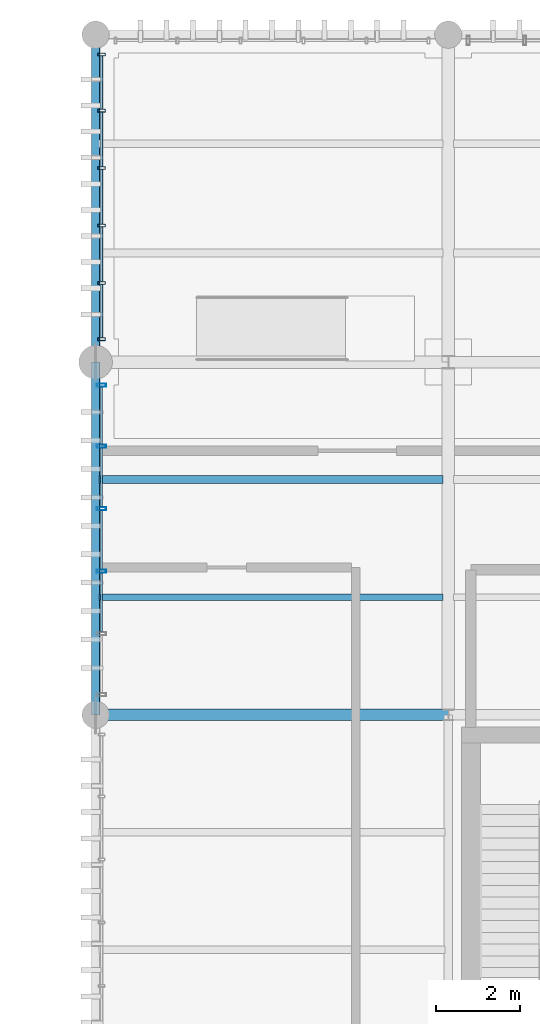
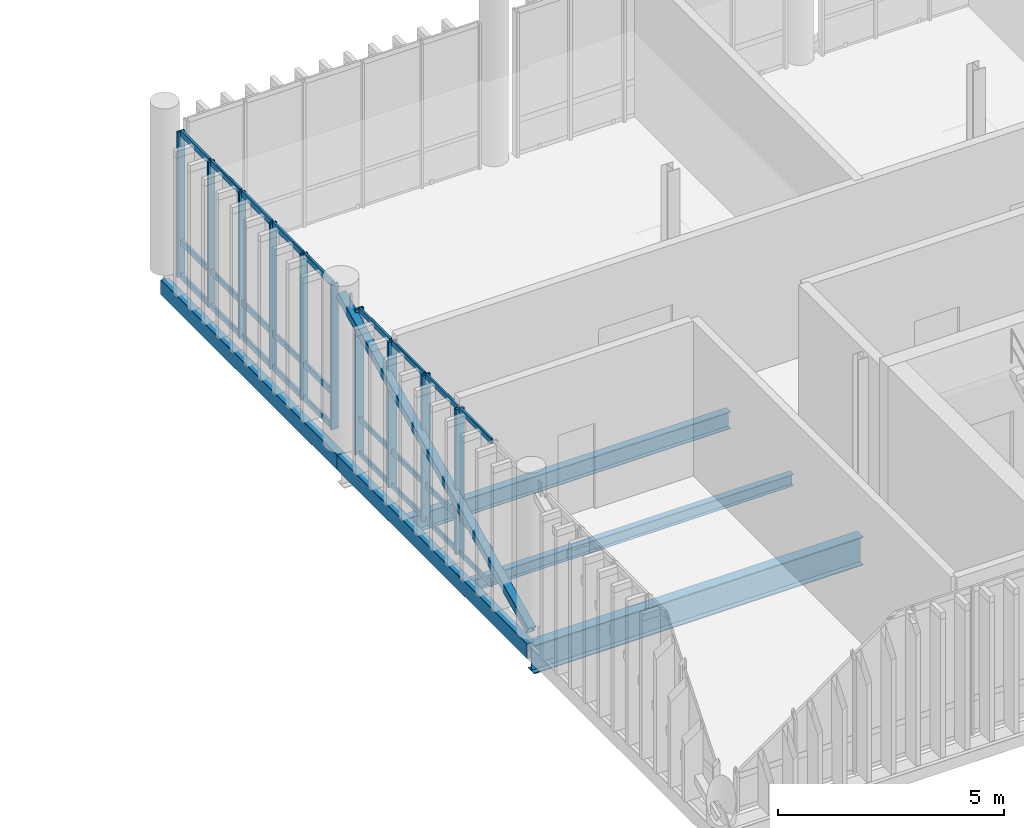
# One storey, part 5 of 19: 38 members, 5 beams, 2 elements without a shape of their own.
"""IFC4 building model written with IfcOpenShell, lengths in metres."""

import ifcopenshell
import ifcopenshell.guid

model = None  # the IFC model being written
_history = None  # IfcOwnerHistory: only IFC2X3 demands one
_inside = {}  # id of a spatial element -> (the spatial element, [elements in it])
_under = {}  # id of a project, library or spatial element -> (it, [spatial elements below it])
_declared = {}  # id of a project -> (the project, [libraries it declares])
_typed = {}  # id of a type object -> (the type object, [elements of that type])
_made_of = {}  # id of a material, layer set ... -> (it, [elements and type objects made of it])


def new_model(schema):
    """Start an empty IFC model of exactly this schema.

    Asked for "IFC4X3", IfcOpenShell would pick the latest addendum, in which some entities
    have other attributes; the version numbers below select the first issue.
    IFC2X3 requires an IfcOwnerHistory on every rooted entity: one is made here for all.
    """
    global model, _history
    if schema == "IFC4X3":
        model = ifcopenshell.file(schema_version=(4, 3, 0, 0))
    else:
        model = ifcopenshell.file(schema=schema)
    _inside.clear()
    _under.clear()
    _declared.clear()
    _typed.clear()
    _made_of.clear()
    _history = None
    if model.schema == "IFC2X3":
        org = make("IfcOrganization", Name="unknown")
        user = make(
            "IfcPersonAndOrganization",
            ThePerson=make("IfcPerson", FamilyName="unknown"),
            TheOrganization=org,
        )
        app = make(
            "IfcApplication",
            ApplicationDeveloper=org,
            Version="unknown",
            ApplicationFullName="unknown",
            ApplicationIdentifier="unknown",
        )
        _history = make(
            "IfcOwnerHistory",
            OwningUser=user,
            OwningApplication=app,
            ChangeAction="ADDED",
            CreationDate=0,
        )
    return model


def make(cls, **values):
    """One entity of the class cls with the attributes given. An attribute that is None is left unset."""
    return model.create_entity(
        cls, **{name: value for name, value in values.items() if value is not None}
    )


def rooted(cls, **values):
    """An entity with a GlobalId (a new one), such as an element, a storey or a relation."""
    return make(cls, GlobalId=ifcopenshell.guid.new(), OwnerHistory=_history, **values)


def si_unit(unit_type, name, prefix=None):
    """IfcSIUnit, for example si_unit("LENGTHUNIT", "METRE", prefix="MILLI")."""
    return make("IfcSIUnit", UnitType=unit_type, Prefix=prefix, Name=name)


def assignment(units):
    """IfcUnitAssignment: the units of a project."""
    return None if units is None else make("IfcUnitAssignment", Units=units)


def point(xyz):
    """IfcCartesianPoint."""
    return None if xyz is None else make("IfcCartesianPoint", Coordinates=xyz)


def direction(xyz):
    """IfcDirection."""
    return None if xyz is None else make("IfcDirection", DirectionRatios=xyz)


def frame(location, z_axis=None, x_axis=None):
    """IfcAxis2Placement3D, a coordinate frame: its origin and axes. An axis left out is left unset."""
    return make(
        "IfcAxis2Placement3D",
        Location=point(location),
        Axis=direction(z_axis),
        RefDirection=direction(x_axis),
    )


def frame_2d(location, x_axis=None):
    """IfcAxis2Placement2D, a coordinate frame in the plane: its origin and x axis."""
    return make(
        "IfcAxis2Placement2D", Location=point(location), RefDirection=direction(x_axis)
    )


def origin_with_axes():
    """The frame at (0, 0, 0) with the z axis (0, 0, 1) and the x axis (1, 0, 0) written out."""
    return frame((0.0, 0.0, 0.0), z_axis=(0.0, 0.0, 1.0), x_axis=(1.0, 0.0, 0.0))


def origin_2d_with_axis():
    """The frame at (0, 0) in the plane with the x axis (1, 0) written out."""
    return frame_2d((0.0, 0.0), x_axis=(1.0, 0.0))


def place(relative_to, where):
    """IfcLocalPlacement: puts the frame where relative to a parent placement (None: the world)."""
    return make(
        "IfcLocalPlacement", PlacementRelTo=relative_to, RelativePlacement=where
    )


def context(
    kind, dimensions, precision=None, world=None, true_north=None, identifier=None
):
    """IfcGeometricRepresentationContext, for example the 3D "Model" context."""
    return make(
        "IfcGeometricRepresentationContext",
        ContextIdentifier=identifier,
        ContextType=kind,
        CoordinateSpaceDimension=dimensions,
        Precision=precision,
        WorldCoordinateSystem=world,
        TrueNorth=true_north,
    )


def subcontext(parent, identifier, kind, view, scale=None):
    """IfcGeometricRepresentationSubContext, for example "Body" below "Model"."""
    return make(
        "IfcGeometricRepresentationSubContext",
        ContextIdentifier=identifier,
        ContextType=kind,
        ParentContext=parent,
        TargetScale=scale,
        TargetView=view,
    )


def project(units=None, contexts=None):
    """IfcProject with its units and contexts."""
    return rooted(
        "IfcProject",
        Name="project",
        RepresentationContexts=contexts,
        UnitsInContext=assignment(units),
    )


def spatial(cls, under=None, at=None, **own):
    """A site, building, storey or space (cls), placed at a placement, below another one or the project."""
    s = rooted(cls, ObjectPlacement=at, **own)
    if under is not None:
        _under.setdefault(under.id(), (under, []))[1].append(s)
    return s


def profile(cls, at=None, kind="AREA", **sizes):
    """A parametric profile (cls). Its sizes go by their IFC names, for example OverallWidth=200.0."""
    return make(cls, ProfileType=kind, Position=at, **sizes)


def hollow_rectangle(**sizes):
    """IfcRectangleHollowProfileDef."""
    return profile("IfcRectangleHollowProfileDef", **sizes)


def i_section(**sizes):
    """IfcIShapeProfileDef."""
    return profile("IfcIShapeProfileDef", **sizes)


def extrude(swept, where, along, depth):
    """IfcExtrudedAreaSolid: the profile swept, set in the frame where, extruded along a direction by depth."""
    return make(
        "IfcExtrudedAreaSolid",
        SweptArea=swept,
        Position=where,
        ExtrudedDirection=direction(along),
        Depth=depth,
    )


def shape(context_of_items, identifier, shape_type, items):
    """IfcShapeRepresentation: the items that make up one representation, for example the "Body"."""
    return make(
        "IfcShapeRepresentation",
        ContextOfItems=context_of_items,
        RepresentationIdentifier=identifier,
        RepresentationType=shape_type,
        Items=items,
    )


def material(Name=None, Category=None):
    """IfcMaterial."""
    return make("IfcMaterial", Name=Name, Category=Category)


def material_profile(
    of_material, cross_section, Name=None, Category=None, Priority=None
):
    """IfcMaterialProfile: a cross section and its material."""
    return make(
        "IfcMaterialProfile",
        Name=Name,
        Material=of_material,
        Profile=cross_section,
        Priority=Priority,
        Category=Category,
    )


def profile_set(profiles, Name=None, composite=None):
    """IfcMaterialProfileSet."""
    return make(
        "IfcMaterialProfileSet",
        Name=Name,
        MaterialProfiles=profiles,
        CompositeProfile=composite,
    )


def made_of(thing, what):
    """Note that an element or type object is made of a material, layer set ...; save() writes the relation."""
    if what is not None:
        _made_of.setdefault(what.id(), (what, []))[1].append(thing)
    return thing


def type_object(cls, material=None, **own):
    """A type object (cls), such as IfcWallType, which elements share."""
    return made_of(rooted(cls, **own), material)


def element(
    cls,
    number,
    at=None,
    inside=None,
    cuts=None,
    type_object=None,
    material=None,
    context=None,
    identifier="Body",
    shape_type=None,
    held_by="IfcProductDefinitionShape",
    body=None,
    shapes=None,
    **own,
):
    """One element of the class cls, such as IfcWall. Its Tag is "e" and its number.

    at: its placement. inside: the storey or other place that contains it. cuts: it is an
    opening in that element (IfcRelVoidsElement). A single representation is given by context,
    identifier, shape_type and body (its items); several are given by shapes. held_by: the class
    of the entity that holds the representations. save() writes the other relations.
    """
    e = rooted(cls, Tag="e%d" % number, ObjectPlacement=at, **own)
    if body is not None:
        shapes = [shape(context, identifier, shape_type, body)]
    if shapes is not None:
        e.Representation = make(held_by, Representations=shapes)
    if inside is not None:
        _inside.setdefault(inside.id(), (inside, []))[1].append(e)
    if cuts is not None:
        rooted(
            "IfcRelVoidsElement", RelatingBuildingElement=cuts, RelatedOpeningElement=e
        )
    if type_object is not None:
        _typed.setdefault(type_object.id(), (type_object, []))[1].append(e)
    return made_of(e, material)


def aggregate(whole, parts):
    """IfcRelAggregates: a whole, such as a stair, and the parts it consists of."""
    return rooted("IfcRelAggregates", RelatingObject=whole, RelatedObjects=parts)


def save(model, path):
    """Write the relations noted so far, then the file.

    IfcRelAggregates (storeys below a building ...), IfcRelContainedInSpatialStructure (elements
    in a storey), IfcRelDefinesByType, IfcRelAssociatesMaterial and IfcRelDeclares: one each for
    every whole, place, type object, material and project.
    """
    for whole, parts in _under.values():
        aggregate(whole, parts)
    for where, things in _inside.values():
        rooted(
            "IfcRelContainedInSpatialStructure",
            RelatedElements=things,
            RelatingStructure=where,
        )
    for kind, things in _typed.values():
        rooted("IfcRelDefinesByType", RelatedObjects=things, RelatingType=kind)
    for what, things in _made_of.values():
        rooted("IfcRelAssociatesMaterial", RelatedObjects=things, RelatingMaterial=what)
    for by, libraries in _declared.values():
        rooted("IfcRelDeclares", RelatingContext=by, RelatedDefinitions=libraries)
    model.write(path)


model = new_model("IFC4")

# Units and contexts
model_context = context("Model", 3, precision=1e-05, world=origin_with_axes(), true_north=direction((0.0, 1.0)))
body_context = subcontext(model_context, "Body", "Model", "MODEL_VIEW")
ifc_project = project(units=[si_unit("LENGTHUNIT", "METRE"), si_unit("AREAUNIT", "SQUARE_METRE"), si_unit("VOLUMEUNIT", "CUBIC_METRE"), si_unit("PLANEANGLEUNIT", "RADIAN"), si_unit("MASSUNIT", "GRAM", prefix="KILO"), si_unit("THERMODYNAMICTEMPERATUREUNIT", "KELVIN")], contexts=[model_context])

# Site, building, storey
site_placement = place(None, origin_with_axes())
site = spatial("IfcSite", under=ifc_project, at=site_placement, CompositionType="ELEMENT")
building_placement = place(site_placement, origin_with_axes())
building = spatial("IfcBuilding", under=site, at=building_placement, Name="Montbau Bow Law Courts", CompositionType="ELEMENT")
storey_placement = place(building_placement, frame((0.0, 0.0, 43.5), z_axis=(0.0, 0.0, 1.0), x_axis=(1.0, 0.0, 0.0)))
storey = spatial("IfcBuildingStorey", under=building, at=storey_placement, Name="L09", CompositionType="ELEMENT", Elevation=43.5)

# Beams
ifc_material_1 = material(Name="Steel CSA G40.21 Grade 350W (350 MPa)", Category="steel")
ifc_material_profile_1 = material_profile(ifc_material_1, i_section(OverallWidth=0.267, OverallDepth=0.766, WebThickness=0.0149, FlangeThickness=0.0236, at=origin_2d_with_axis()), Name="W760X185", Category="Main", Priority=0)
ifc_profile_set_1 = profile_set([ifc_material_profile_1], Name="Steel CSA G40.21 Grade 350W (350 MPa)")
beam_type_1 = type_object("IfcBeamType", Name="B-FLR-03", PredefinedType="BEAM", material=ifc_profile_set_1)
beam_1_placement = place(None, frame((138.6, 94.8, 42.817), z_axis=(1.0, 0.0, 0.0), x_axis=(0.0, 1.0, 0.0)))
element("IfcBeam", 1, at=beam_1_placement, inside=storey, type_object=beam_type_1, Name="BM-L09-S1388:bm2_1391", PredefinedType="BEAM", context=body_context, shape_type="SweptSolid", body=[
    extrude(i_section(OverallWidth=0.267, OverallDepth=0.766, WebThickness=0.0149, FlangeThickness=0.0236, at=origin_2d_with_axis()), origin_with_axes(), (0.0, 0.0, 1.0), 8.4),
])
ifc_material_profile_2 = material_profile(ifc_material_1, i_section(OverallWidth=0.191, OverallDepth=0.46, WebThickness=0.0099, FlangeThickness=0.016, at=origin_2d_with_axis()), Name="W460X82", Category="Main", Priority=0)
ifc_profile_set_2 = profile_set([ifc_material_profile_2], Name="Steel CSA G40.21 Grade 350W (350 MPa)")
beam_type_2 = type_object("IfcBeamType", Name="B-JST-01", PredefinedType="JOIST", material=ifc_profile_set_2)
beam_2_placement = place(None, frame((138.68, 100.4, 42.97), z_axis=(1.0, 0.0, 0.0), x_axis=(0.0, 1.0, 0.0)))
element("IfcBeam", 2, at=beam_2_placement, inside=storey, type_object=beam_type_2, Name="JST-L09-S0776:jst2_0776", PredefinedType="JOIST", context=body_context, shape_type="SweptSolid", body=[
    extrude(i_section(OverallWidth=0.191, OverallDepth=0.46, WebThickness=0.0099, FlangeThickness=0.016, at=origin_2d_with_axis()), origin_with_axes(), (0.0, 0.0, 1.0), 8.191),
])
ifc_material_profile_3 = material_profile(ifc_material_1, i_section(OverallWidth=0.166, OverallDepth=0.313, WebThickness=0.0066, FlangeThickness=0.0112, at=origin_2d_with_axis()), Name="W310X45", Category="Main", Priority=0)
ifc_profile_set_3 = profile_set([ifc_material_profile_3], Name="Steel CSA G40.21 Grade 350W (350 MPa)")
beam_type_3 = type_object("IfcBeamType", Name="B-JST-04", PredefinedType="JOIST", material=ifc_profile_set_3)
beam_3_placement = place(None, frame((138.68, 97.6, 43.044), z_axis=(1.0, 0.0, 0.0), x_axis=(0.0, 1.0, 0.0)))
element("IfcBeam", 3, at=beam_3_placement, inside=storey, type_object=beam_type_3, Name="JST-L09-S0775:jst2_0775", PredefinedType="JOIST", context=body_context, shape_type="SweptSolid", body=[
    extrude(i_section(OverallWidth=0.166, OverallDepth=0.313, WebThickness=0.0066, FlangeThickness=0.0112, at=origin_2d_with_axis()), origin_with_axes(), (0.0, 0.0, 1.0), 8.191),
])
ifc_material_2 = material(Name="Steel CSA G40.21 Grade 350WT (350 MPa)", Category="steel")
ifc_material_profile_4 = material_profile(ifc_material_2, hollow_rectangle(XDim=0.203, YDim=0.406, WallThickness=0.0127, InnerFilletRadius=0.0254, OuterFilletRadius=0.0127, at=origin_2d_with_axis()), Name="HSS406X203X13", Category="Main", Priority=0)
ifc_profile_set_4 = profile_set([ifc_material_profile_4], Name="Steel CSA G40.21 Grade 350WT (350 MPa)")
beam_type_4 = type_object("IfcBeamType", Name="B-SPN-01", PredefinedType="SPANDREL", material=ifc_profile_set_4)
beam_4_placement = place(None, frame((138.6, 94.8, 42.997), z_axis=(0.0, 1.0, 0.0), x_axis=(-1.0, 0.0, 0.0)))
element("IfcBeam", 4, at=beam_4_placement, inside=storey, type_object=beam_type_4, Name="SPN-L09-S1401:bm2_1404", PredefinedType="SPANDREL", context=body_context, shape_type="SweptSolid", body=[
    extrude(hollow_rectangle(XDim=0.203, YDim=0.406, WallThickness=0.0127, InnerFilletRadius=0.0254, OuterFilletRadius=0.0127, at=origin_2d_with_axis()), origin_with_axes(), (0.0, 0.0, 1.0), 8.4),
])
beam_5_placement = place(None, frame((138.6, 103.2, 42.997), z_axis=(0.0, 1.0, 0.0), x_axis=(-1.0, 0.0, 0.0)))
element("IfcBeam", 5, at=beam_5_placement, inside=storey, type_object=beam_type_4, Name="SPN-L09-S1402:bm2_1405", PredefinedType="SPANDREL", context=body_context, shape_type="SweptSolid", body=[
    extrude(hollow_rectangle(XDim=0.203, YDim=0.406, WallThickness=0.0127, InnerFilletRadius=0.0254, OuterFilletRadius=0.0127, at=origin_2d_with_axis()), origin_with_axes(), (0.0, 0.0, 1.0), 7.8),
])

# Member
ifc_material_profile_5 = material_profile(ifc_material_1, hollow_rectangle(XDim=0.203, YDim=0.203, WallThickness=0.0111, InnerFilletRadius=0.0222, OuterFilletRadius=0.0111, at=origin_2d_with_axis()), Name="HSS203X203X11", Category="Main", Priority=0)
ifc_profile_set_5 = profile_set([ifc_material_profile_5], Name="Steel CSA G40.21 Grade 350W (350 MPa)")
member_type_1 = type_object("IfcMemberType", Name="M-BRC-02", PredefinedType="BRACE", material=ifc_profile_set_5)
member_1_placement = place(None, frame((138.6, 94.8, 43.55), z_axis=(0.0, 0.904650222, 0.426154873), x_axis=(-1.0, 0.0, 0.0)))
element("IfcMember", 6, at=member_1_placement, inside=storey, type_object=member_type_1, Name="Diagonal brace CBF-L09-073A", PredefinedType="BRACE", context=body_context, shape_type="SweptSolid", body=[
    extrude(hollow_rectangle(XDim=0.203, YDim=0.203, WallThickness=0.0111, InnerFilletRadius=0.0222, OuterFilletRadius=0.0111, at=origin_2d_with_axis()), origin_with_axes(), (0.0, 0.0, 1.0), 9.285357),
])

# Curtain wall, members
ifc_material_3 = material(Name="Thermally Broken Extruded Aluminium AA 6063-T6", Category="aluminium")
curtain_wall_type = type_object("IfcCurtainWallType", Name="CW-CRM-03", PredefinedType="NOTDEFINED", material=ifc_material_3)
curtain_wall_1_placement = place(None, frame((138.74, 95.24, 43.5), z_axis=(0.0, 0.0, 1.0), x_axis=(1.0, 0.0, 0.0)))
curtain_wall_1 = element("IfcCurtainWall", 7, at=curtain_wall_1_placement, inside=storey, type_object=curtain_wall_type, Name="CW-L09-393:cw_0393", PredefinedType="NOTDEFINED")
ifc_material_profile_6 = material_profile(ifc_material_3, hollow_rectangle(XDim=0.075, YDim=0.22, WallThickness=0.005, InnerFilletRadius=0.01, OuterFilletRadius=0.005, at=origin_2d_with_axis()), Name="CWM-220X75", Category="Main", Priority=0)
ifc_profile_set_6 = profile_set([ifc_material_profile_6], Name="Thermally Broken Extruded Aluminium AA 6063-T6")
member_type_2 = type_object("IfcMemberType", Name="M-MUL-01", PredefinedType="MULLION", material=ifc_profile_set_6)
member_2_placement = place(None, frame((138.74, 98.218, 43.5), z_axis=(0.0, 0.0, 1.0), x_axis=(0.0, 1.0, 0.0)))
member_2 = element("IfcMember", 8, at=member_2_placement, type_object=member_type_2, Name="CW-L09-393-M03:cw_0393_M03", PredefinedType="MULLION", context=body_context, shape_type="SweptSolid", body=[
    extrude(hollow_rectangle(XDim=0.075, YDim=0.22, WallThickness=0.005, InnerFilletRadius=0.01, OuterFilletRadius=0.005, at=origin_2d_with_axis()), origin_with_axes(), (0.0, 0.0, 1.0), 3.92),
])
member_3_placement = place(None, frame((138.74, 99.707, 43.5), z_axis=(0.0, 0.0, 1.0), x_axis=(0.0, 1.0, 0.0)))
member_3 = element("IfcMember", 9, at=member_3_placement, type_object=member_type_2, Name="CW-L09-393-M04:cw_0393_M04", PredefinedType="MULLION", context=body_context, shape_type="SweptSolid", body=[
    extrude(hollow_rectangle(XDim=0.075, YDim=0.22, WallThickness=0.005, InnerFilletRadius=0.01, OuterFilletRadius=0.005, at=origin_2d_with_axis()), origin_with_axes(), (0.0, 0.0, 1.0), 3.92),
])
member_4_placement = place(None, frame((138.74, 101.196, 43.5), z_axis=(0.0, 0.0, 1.0), x_axis=(0.0, 1.0, 0.0)))
member_4 = element("IfcMember", 10, at=member_4_placement, type_object=member_type_2, Name="CW-L09-393-M05:cw_0393_M05", PredefinedType="MULLION", context=body_context, shape_type="SweptSolid", body=[
    extrude(hollow_rectangle(XDim=0.075, YDim=0.22, WallThickness=0.005, InnerFilletRadius=0.01, OuterFilletRadius=0.005, at=origin_2d_with_axis()), origin_with_axes(), (0.0, 0.0, 1.0), 3.92),
])
member_5_placement = place(None, frame((138.74, 102.648, 43.5), z_axis=(0.0, 0.0, 1.0), x_axis=(0.0, 1.0, 0.0)))
member_5 = element("IfcMember", 11, at=member_5_placement, type_object=member_type_2, Name="CW-L09-393-M06:cw_0393_M06", PredefinedType="MULLION", context=body_context, shape_type="SweptSolid", body=[
    extrude(hollow_rectangle(XDim=0.075, YDim=0.22, WallThickness=0.005, InnerFilletRadius=0.01, OuterFilletRadius=0.005, at=origin_2d_with_axis()), origin_with_axes(), (0.0, 0.0, 1.0), 3.92),
])

curtain_wall_2_placement = place(None, frame((138.74, 103.715, 43.5), z_axis=(0.0, 0.0, 1.0), x_axis=(1.0, 0.0, 0.0)))
curtain_wall_2 = element("IfcCurtainWall", 12, at=curtain_wall_2_placement, inside=storey, type_object=curtain_wall_type, Name="CW-L09-394:cw_0394", PredefinedType="NOTDEFINED")
ifc_material_profile_7 = material_profile(ifc_material_3, hollow_rectangle(XDim=0.065, YDim=0.18, WallThickness=0.005, InnerFilletRadius=0.01, OuterFilletRadius=0.005, at=origin_2d_with_axis()), Name="CWM-180X65", Category="Main", Priority=0)
ifc_profile_set_7 = profile_set([ifc_material_profile_7], Name="Thermally Broken Extruded Aluminium AA 6063-T6")
member_type_3 = type_object("IfcMemberType", Name="M-MUL-02", PredefinedType="MULLION", material=ifc_profile_set_7)
member_6_placement = place(None, frame((138.74, 103.748, 43.5), z_axis=(0.0, 0.0, 1.0), x_axis=(0.0, 1.0, 0.0)))
member_6 = element("IfcMember", 13, at=member_6_placement, type_object=member_type_3, Name="CW-L09-394-M01:cw_0394_M01", PredefinedType="MULLION", context=body_context, shape_type="SweptSolid", body=[
    extrude(hollow_rectangle(XDim=0.065, YDim=0.18, WallThickness=0.005, InnerFilletRadius=0.01, OuterFilletRadius=0.005, at=origin_2d_with_axis()), origin_with_axes(), (0.0, 0.0, 1.0), 3.92),
])
member_7_placement = place(None, frame((138.74, 105.084, 43.5), z_axis=(0.0, 0.0, 1.0), x_axis=(0.0, 1.0, 0.0)))
member_7 = element("IfcMember", 14, at=member_7_placement, type_object=member_type_3, Name="CW-L09-394-M02:cw_0394_M02", PredefinedType="MULLION", context=body_context, shape_type="SweptSolid", body=[
    extrude(hollow_rectangle(XDim=0.065, YDim=0.18, WallThickness=0.005, InnerFilletRadius=0.01, OuterFilletRadius=0.005, at=origin_2d_with_axis()), origin_with_axes(), (0.0, 0.0, 1.0), 3.92),
])
member_8_placement = place(None, frame((138.74, 106.453, 43.5), z_axis=(0.0, 0.0, 1.0), x_axis=(0.0, 1.0, 0.0)))
member_8 = element("IfcMember", 15, at=member_8_placement, type_object=member_type_3, Name="CW-L09-394-M03:cw_0394_M03", PredefinedType="MULLION", context=body_context, shape_type="SweptSolid", body=[
    extrude(hollow_rectangle(XDim=0.065, YDim=0.18, WallThickness=0.005, InnerFilletRadius=0.01, OuterFilletRadius=0.005, at=origin_2d_with_axis()), origin_with_axes(), (0.0, 0.0, 1.0), 3.92),
])
member_9_placement = place(None, frame((138.74, 107.822, 43.5), z_axis=(0.0, 0.0, 1.0), x_axis=(0.0, 1.0, 0.0)))
member_9 = element("IfcMember", 16, at=member_9_placement, type_object=member_type_3, Name="CW-L09-394-M04:cw_0394_M04", PredefinedType="MULLION", context=body_context, shape_type="SweptSolid", body=[
    extrude(hollow_rectangle(XDim=0.065, YDim=0.18, WallThickness=0.005, InnerFilletRadius=0.01, OuterFilletRadius=0.005, at=origin_2d_with_axis()), origin_with_axes(), (0.0, 0.0, 1.0), 3.92),
])
member_10_placement = place(None, frame((138.74, 109.191, 43.5), z_axis=(0.0, 0.0, 1.0), x_axis=(0.0, 1.0, 0.0)))
member_10 = element("IfcMember", 17, at=member_10_placement, type_object=member_type_3, Name="CW-L09-394-M05:cw_0394_M05", PredefinedType="MULLION", context=body_context, shape_type="SweptSolid", body=[
    extrude(hollow_rectangle(XDim=0.065, YDim=0.18, WallThickness=0.005, InnerFilletRadius=0.01, OuterFilletRadius=0.005, at=origin_2d_with_axis()), origin_with_axes(), (0.0, 0.0, 1.0), 3.92),
])
member_11_placement = place(None, frame((138.74, 110.527, 43.5), z_axis=(0.0, 0.0, 1.0), x_axis=(0.0, 1.0, 0.0)))
member_11 = element("IfcMember", 18, at=member_11_placement, type_object=member_type_3, Name="CW-L09-394-M06:cw_0394_M06", PredefinedType="MULLION", context=body_context, shape_type="SweptSolid", body=[
    extrude(hollow_rectangle(XDim=0.065, YDim=0.18, WallThickness=0.005, InnerFilletRadius=0.01, OuterFilletRadius=0.005, at=origin_2d_with_axis()), origin_with_axes(), (0.0, 0.0, 1.0), 3.92),
])
ifc_material_profile_8 = material_profile(ifc_material_3, hollow_rectangle(XDim=0.06, YDim=0.16, WallThickness=0.004, InnerFilletRadius=0.008, OuterFilletRadius=0.004, at=origin_2d_with_axis()), Name="CWT-160X60", Category="Main", Priority=0)
ifc_profile_set_8 = profile_set([ifc_material_profile_8], Name="Thermally Broken Extruded Aluminium AA 6063-T6")
member_type_4 = type_object("IfcMemberType", Name="M-TRN-01", PredefinedType="USERDEFINED", material=ifc_profile_set_8)
member_12_placement = place(None, frame((138.74, 103.783, 43.53), z_axis=(0.0, 1.0, 0.0), x_axis=(-1.0, 0.0, 0.0)))
member_12 = element("IfcMember", 19, at=member_12_placement, type_object=member_type_4, Name="CW-L09-394-T01-1:cw_0394_T01_1", ObjectType="TRANSOM", PredefinedType="USERDEFINED", context=body_context, shape_type="SweptSolid", body=[
    extrude(hollow_rectangle(XDim=0.06, YDim=0.16, WallThickness=0.004, InnerFilletRadius=0.008, OuterFilletRadius=0.004, at=origin_2d_with_axis()), origin_with_axes(), (0.0, 0.0, 1.0), 1.267),
])
member_13_placement = place(None, frame((138.74, 103.783, 44.45), z_axis=(0.0, 1.0, 0.0), x_axis=(-1.0, 0.0, 0.0)))
member_13 = element("IfcMember", 20, at=member_13_placement, type_object=member_type_4, Name="CW-L09-394-T01-2:cw_0394_T01_2", ObjectType="TRANSOM", PredefinedType="USERDEFINED", context=body_context, shape_type="SweptSolid", body=[
    extrude(hollow_rectangle(XDim=0.06, YDim=0.16, WallThickness=0.004, InnerFilletRadius=0.008, OuterFilletRadius=0.004, at=origin_2d_with_axis()), origin_with_axes(), (0.0, 0.0, 1.0), 1.267),
])
member_14_placement = place(None, frame((138.74, 103.783, 47.39), z_axis=(0.0, 1.0, 0.0), x_axis=(-1.0, 0.0, 0.0)))
member_14 = element("IfcMember", 21, at=member_14_placement, type_object=member_type_4, Name="CW-L09-394-T01-3:cw_0394_T01_3", ObjectType="TRANSOM", PredefinedType="USERDEFINED", context=body_context, shape_type="SweptSolid", body=[
    extrude(hollow_rectangle(XDim=0.06, YDim=0.16, WallThickness=0.004, InnerFilletRadius=0.008, OuterFilletRadius=0.004, at=origin_2d_with_axis()), origin_with_axes(), (0.0, 0.0, 1.0), 1.267),
])
member_15_placement = place(None, frame((138.74, 105.118, 43.53), z_axis=(0.0, 1.0, 0.0), x_axis=(-1.0, 0.0, 0.0)))
member_15 = element("IfcMember", 22, at=member_15_placement, type_object=member_type_4, Name="CW-L09-394-T02-1:cw_0394_T02_1", ObjectType="TRANSOM", PredefinedType="USERDEFINED", context=body_context, shape_type="SweptSolid", body=[
    extrude(hollow_rectangle(XDim=0.06, YDim=0.16, WallThickness=0.004, InnerFilletRadius=0.008, OuterFilletRadius=0.004, at=origin_2d_with_axis()), origin_with_axes(), (0.0, 0.0, 1.0), 1.301),
])
member_16_placement = place(None, frame((138.74, 105.118, 44.45), z_axis=(0.0, 1.0, 0.0), x_axis=(-1.0, 0.0, 0.0)))
member_16 = element("IfcMember", 23, at=member_16_placement, type_object=member_type_4, Name="CW-L09-394-T02-2:cw_0394_T02_2", ObjectType="TRANSOM", PredefinedType="USERDEFINED", context=body_context, shape_type="SweptSolid", body=[
    extrude(hollow_rectangle(XDim=0.06, YDim=0.16, WallThickness=0.004, InnerFilletRadius=0.008, OuterFilletRadius=0.004, at=origin_2d_with_axis()), origin_with_axes(), (0.0, 0.0, 1.0), 1.301),
])
member_17_placement = place(None, frame((138.74, 105.118, 47.39), z_axis=(0.0, 1.0, 0.0), x_axis=(-1.0, 0.0, 0.0)))
member_17 = element("IfcMember", 24, at=member_17_placement, type_object=member_type_4, Name="CW-L09-394-T02-3:cw_0394_T02_3", ObjectType="TRANSOM", PredefinedType="USERDEFINED", context=body_context, shape_type="SweptSolid", body=[
    extrude(hollow_rectangle(XDim=0.06, YDim=0.16, WallThickness=0.004, InnerFilletRadius=0.008, OuterFilletRadius=0.004, at=origin_2d_with_axis()), origin_with_axes(), (0.0, 0.0, 1.0), 1.301),
])
member_18_placement = place(None, frame((138.74, 106.487, 43.53), z_axis=(0.0, 1.0, 0.0), x_axis=(-1.0, 0.0, 0.0)))
member_18 = element("IfcMember", 25, at=member_18_placement, type_object=member_type_4, Name="CW-L09-394-T03-1:cw_0394_T03_1", ObjectType="TRANSOM", PredefinedType="USERDEFINED", context=body_context, shape_type="SweptSolid", body=[
    extrude(hollow_rectangle(XDim=0.06, YDim=0.16, WallThickness=0.004, InnerFilletRadius=0.008, OuterFilletRadius=0.004, at=origin_2d_with_axis()), origin_with_axes(), (0.0, 0.0, 1.0), 1.301),
])
member_19_placement = place(None, frame((138.74, 106.487, 44.45), z_axis=(0.0, 1.0, 0.0), x_axis=(-1.0, 0.0, 0.0)))
member_19 = element("IfcMember", 26, at=member_19_placement, type_object=member_type_4, Name="CW-L09-394-T03-2:cw_0394_T03_2", ObjectType="TRANSOM", PredefinedType="USERDEFINED", context=body_context, shape_type="SweptSolid", body=[
    extrude(hollow_rectangle(XDim=0.06, YDim=0.16, WallThickness=0.004, InnerFilletRadius=0.008, OuterFilletRadius=0.004, at=origin_2d_with_axis()), origin_with_axes(), (0.0, 0.0, 1.0), 1.301),
])
member_20_placement = place(None, frame((138.74, 106.487, 47.39), z_axis=(0.0, 1.0, 0.0), x_axis=(-1.0, 0.0, 0.0)))
member_20 = element("IfcMember", 27, at=member_20_placement, type_object=member_type_4, Name="CW-L09-394-T03-3:cw_0394_T03_3", ObjectType="TRANSOM", PredefinedType="USERDEFINED", context=body_context, shape_type="SweptSolid", body=[
    extrude(hollow_rectangle(XDim=0.06, YDim=0.16, WallThickness=0.004, InnerFilletRadius=0.008, OuterFilletRadius=0.004, at=origin_2d_with_axis()), origin_with_axes(), (0.0, 0.0, 1.0), 1.301),
])
member_21_placement = place(None, frame((138.74, 107.856, 43.53), z_axis=(0.0, 1.0, 0.0), x_axis=(-1.0, 0.0, 0.0)))
member_21 = element("IfcMember", 28, at=member_21_placement, type_object=member_type_4, Name="CW-L09-394-T04-1:cw_0394_T04_1", ObjectType="TRANSOM", PredefinedType="USERDEFINED", context=body_context, shape_type="SweptSolid", body=[
    extrude(hollow_rectangle(XDim=0.06, YDim=0.16, WallThickness=0.004, InnerFilletRadius=0.008, OuterFilletRadius=0.004, at=origin_2d_with_axis()), origin_with_axes(), (0.0, 0.0, 1.0), 1.301),
])
member_22_placement = place(None, frame((138.74, 107.856, 44.45), z_axis=(0.0, 1.0, 0.0), x_axis=(-1.0, 0.0, 0.0)))
member_22 = element("IfcMember", 29, at=member_22_placement, type_object=member_type_4, Name="CW-L09-394-T04-2:cw_0394_T04_2", ObjectType="TRANSOM", PredefinedType="USERDEFINED", context=body_context, shape_type="SweptSolid", body=[
    extrude(hollow_rectangle(XDim=0.06, YDim=0.16, WallThickness=0.004, InnerFilletRadius=0.008, OuterFilletRadius=0.004, at=origin_2d_with_axis()), origin_with_axes(), (0.0, 0.0, 1.0), 1.301),
])
member_23_placement = place(None, frame((138.74, 107.856, 47.39), z_axis=(0.0, 1.0, 0.0), x_axis=(-1.0, 0.0, 0.0)))
member_23 = element("IfcMember", 30, at=member_23_placement, type_object=member_type_4, Name="CW-L09-394-T04-3:cw_0394_T04_3", ObjectType="TRANSOM", PredefinedType="USERDEFINED", context=body_context, shape_type="SweptSolid", body=[
    extrude(hollow_rectangle(XDim=0.06, YDim=0.16, WallThickness=0.004, InnerFilletRadius=0.008, OuterFilletRadius=0.004, at=origin_2d_with_axis()), origin_with_axes(), (0.0, 0.0, 1.0), 1.301),
])
member_24_placement = place(None, frame((138.74, 109.225, 43.53), z_axis=(0.0, 1.0, 0.0), x_axis=(-1.0, 0.0, 0.0)))
member_24 = element("IfcMember", 31, at=member_24_placement, type_object=member_type_4, Name="CW-L09-394-T05-1:cw_0394_T05_1", ObjectType="TRANSOM", PredefinedType="USERDEFINED", context=body_context, shape_type="SweptSolid", body=[
    extrude(hollow_rectangle(XDim=0.06, YDim=0.16, WallThickness=0.004, InnerFilletRadius=0.008, OuterFilletRadius=0.004, at=origin_2d_with_axis()), origin_with_axes(), (0.0, 0.0, 1.0), 1.268),
])
member_25_placement = place(None, frame((138.74, 109.225, 44.45), z_axis=(0.0, 1.0, 0.0), x_axis=(-1.0, 0.0, 0.0)))
member_25 = element("IfcMember", 32, at=member_25_placement, type_object=member_type_4, Name="CW-L09-394-T05-2:cw_0394_T05_2", ObjectType="TRANSOM", PredefinedType="USERDEFINED", context=body_context, shape_type="SweptSolid", body=[
    extrude(hollow_rectangle(XDim=0.06, YDim=0.16, WallThickness=0.004, InnerFilletRadius=0.008, OuterFilletRadius=0.004, at=origin_2d_with_axis()), origin_with_axes(), (0.0, 0.0, 1.0), 1.268),
])
member_26_placement = place(None, frame((138.74, 109.225, 47.39), z_axis=(0.0, 1.0, 0.0), x_axis=(-1.0, 0.0, 0.0)))
member_26 = element("IfcMember", 33, at=member_26_placement, type_object=member_type_4, Name="CW-L09-394-T05-3:cw_0394_T05_3", ObjectType="TRANSOM", PredefinedType="USERDEFINED", context=body_context, shape_type="SweptSolid", body=[
    extrude(hollow_rectangle(XDim=0.06, YDim=0.16, WallThickness=0.004, InnerFilletRadius=0.008, OuterFilletRadius=0.004, at=origin_2d_with_axis()), origin_with_axes(), (0.0, 0.0, 1.0), 1.268),
])
aggregate(curtain_wall_2, [member_6, member_7, member_8, member_9, member_10, member_11, member_12, member_13, member_14, member_15, member_16, member_17, member_18, member_19, member_20, member_21, member_22, member_23, member_24, member_25, member_26])

# Member
ifc_material_profile_9 = material_profile(ifc_material_3, hollow_rectangle(XDim=0.055, YDim=0.14, WallThickness=0.004, InnerFilletRadius=0.008, OuterFilletRadius=0.004, at=origin_2d_with_axis()), Name="CWT-140X55", Category="Main", Priority=0)
ifc_profile_set_9 = profile_set([ifc_material_profile_9], Name="Thermally Broken Extruded Aluminium AA 6063-T6")
member_type_5 = type_object("IfcMemberType", Name="M-TRN-02", PredefinedType="USERDEFINED", material=ifc_profile_set_9)
member_27_placement = place(None, frame((138.74, 96.769, 43.528), z_axis=(0.0, 1.0, 0.0), x_axis=(-1.0, 0.0, 0.0)))
member_27 = element("IfcMember", 34, at=member_27_placement, type_object=member_type_5, Name="CW-L09-393-T02-1:cw_0393_T02_1", ObjectType="TRANSOM", PredefinedType="USERDEFINED", context=body_context, shape_type="SweptSolid", body=[
    extrude(hollow_rectangle(XDim=0.055, YDim=0.14, WallThickness=0.004, InnerFilletRadius=0.008, OuterFilletRadius=0.004, at=origin_2d_with_axis()), origin_with_axes(), (0.0, 0.0, 1.0), 1.41),
])

member_28_placement = place(None, frame((138.74, 96.769, 44.45), z_axis=(0.0, 1.0, 0.0), x_axis=(-1.0, 0.0, 0.0)))
member_28 = element("IfcMember", 35, at=member_28_placement, type_object=member_type_5, Name="CW-L09-393-T02-2:cw_0393_T02_2", ObjectType="TRANSOM", PredefinedType="USERDEFINED", context=body_context, shape_type="SweptSolid", body=[
    extrude(hollow_rectangle(XDim=0.055, YDim=0.14, WallThickness=0.004, InnerFilletRadius=0.008, OuterFilletRadius=0.004, at=origin_2d_with_axis()), origin_with_axes(), (0.0, 0.0, 1.0), 1.41),
])

member_29_placement = place(None, frame((138.74, 96.769, 47.392), z_axis=(0.0, 1.0, 0.0), x_axis=(-1.0, 0.0, 0.0)))
member_29 = element("IfcMember", 36, at=member_29_placement, type_object=member_type_5, Name="CW-L09-393-T02-3:cw_0393_T02_3", ObjectType="TRANSOM", PredefinedType="USERDEFINED", context=body_context, shape_type="SweptSolid", body=[
    extrude(hollow_rectangle(XDim=0.055, YDim=0.14, WallThickness=0.004, InnerFilletRadius=0.008, OuterFilletRadius=0.004, at=origin_2d_with_axis()), origin_with_axes(), (0.0, 0.0, 1.0), 1.41),
])

member_30_placement = place(None, frame((138.74, 98.258, 43.528), z_axis=(0.0, 1.0, 0.0), x_axis=(-1.0, 0.0, 0.0)))
member_30 = element("IfcMember", 37, at=member_30_placement, type_object=member_type_5, Name="CW-L09-393-T03-1:cw_0393_T03_1", ObjectType="TRANSOM", PredefinedType="USERDEFINED", context=body_context, shape_type="SweptSolid", body=[
    extrude(hollow_rectangle(XDim=0.055, YDim=0.14, WallThickness=0.004, InnerFilletRadius=0.008, OuterFilletRadius=0.004, at=origin_2d_with_axis()), origin_with_axes(), (0.0, 0.0, 1.0), 1.41),
])

member_31_placement = place(None, frame((138.74, 98.258, 44.45), z_axis=(0.0, 1.0, 0.0), x_axis=(-1.0, 0.0, 0.0)))
member_31 = element("IfcMember", 38, at=member_31_placement, type_object=member_type_5, Name="CW-L09-393-T03-2:cw_0393_T03_2", ObjectType="TRANSOM", PredefinedType="USERDEFINED", context=body_context, shape_type="SweptSolid", body=[
    extrude(hollow_rectangle(XDim=0.055, YDim=0.14, WallThickness=0.004, InnerFilletRadius=0.008, OuterFilletRadius=0.004, at=origin_2d_with_axis()), origin_with_axes(), (0.0, 0.0, 1.0), 1.41),
])

member_32_placement = place(None, frame((138.74, 98.258, 47.392), z_axis=(0.0, 1.0, 0.0), x_axis=(-1.0, 0.0, 0.0)))
member_32 = element("IfcMember", 39, at=member_32_placement, type_object=member_type_5, Name="CW-L09-393-T03-3:cw_0393_T03_3", ObjectType="TRANSOM", PredefinedType="USERDEFINED", context=body_context, shape_type="SweptSolid", body=[
    extrude(hollow_rectangle(XDim=0.055, YDim=0.14, WallThickness=0.004, InnerFilletRadius=0.008, OuterFilletRadius=0.004, at=origin_2d_with_axis()), origin_with_axes(), (0.0, 0.0, 1.0), 1.41),
])

member_33_placement = place(None, frame((138.74, 99.746, 43.528), z_axis=(0.0, 1.0, 0.0), x_axis=(-1.0, 0.0, 0.0)))
member_33 = element("IfcMember", 40, at=member_33_placement, type_object=member_type_5, Name="CW-L09-393-T04-1:cw_0393_T04_1", ObjectType="TRANSOM", PredefinedType="USERDEFINED", context=body_context, shape_type="SweptSolid", body=[
    extrude(hollow_rectangle(XDim=0.055, YDim=0.14, WallThickness=0.004, InnerFilletRadius=0.008, OuterFilletRadius=0.004, at=origin_2d_with_axis()), origin_with_axes(), (0.0, 0.0, 1.0), 1.411),
])

member_34_placement = place(None, frame((138.74, 99.746, 44.45), z_axis=(0.0, 1.0, 0.0), x_axis=(-1.0, 0.0, 0.0)))
member_34 = element("IfcMember", 41, at=member_34_placement, type_object=member_type_5, Name="CW-L09-393-T04-2:cw_0393_T04_2", ObjectType="TRANSOM", PredefinedType="USERDEFINED", context=body_context, shape_type="SweptSolid", body=[
    extrude(hollow_rectangle(XDim=0.055, YDim=0.14, WallThickness=0.004, InnerFilletRadius=0.008, OuterFilletRadius=0.004, at=origin_2d_with_axis()), origin_with_axes(), (0.0, 0.0, 1.0), 1.411),
])

member_35_placement = place(None, frame((138.74, 99.746, 47.392), z_axis=(0.0, 1.0, 0.0), x_axis=(-1.0, 0.0, 0.0)))
member_35 = element("IfcMember", 42, at=member_35_placement, type_object=member_type_5, Name="CW-L09-393-T04-3:cw_0393_T04_3", ObjectType="TRANSOM", PredefinedType="USERDEFINED", context=body_context, shape_type="SweptSolid", body=[
    extrude(hollow_rectangle(XDim=0.055, YDim=0.14, WallThickness=0.004, InnerFilletRadius=0.008, OuterFilletRadius=0.004, at=origin_2d_with_axis()), origin_with_axes(), (0.0, 0.0, 1.0), 1.411),
])

member_36_placement = place(None, frame((138.74, 101.235, 43.528), z_axis=(0.0, 1.0, 0.0), x_axis=(-1.0, 0.0, 0.0)))
member_36 = element("IfcMember", 43, at=member_36_placement, type_object=member_type_5, Name="CW-L09-393-T05-1:cw_0393_T05_1", ObjectType="TRANSOM", PredefinedType="USERDEFINED", context=body_context, shape_type="SweptSolid", body=[
    extrude(hollow_rectangle(XDim=0.055, YDim=0.14, WallThickness=0.004, InnerFilletRadius=0.008, OuterFilletRadius=0.004, at=origin_2d_with_axis()), origin_with_axes(), (0.0, 0.0, 1.0), 1.374),
])

member_37_placement = place(None, frame((138.74, 101.235, 44.45), z_axis=(0.0, 1.0, 0.0), x_axis=(-1.0, 0.0, 0.0)))
member_37 = element("IfcMember", 44, at=member_37_placement, type_object=member_type_5, Name="CW-L09-393-T05-2:cw_0393_T05_2", ObjectType="TRANSOM", PredefinedType="USERDEFINED", context=body_context, shape_type="SweptSolid", body=[
    extrude(hollow_rectangle(XDim=0.055, YDim=0.14, WallThickness=0.004, InnerFilletRadius=0.008, OuterFilletRadius=0.004, at=origin_2d_with_axis()), origin_with_axes(), (0.0, 0.0, 1.0), 1.374),
])

member_38_placement = place(None, frame((138.74, 101.235, 47.392), z_axis=(0.0, 1.0, 0.0), x_axis=(-1.0, 0.0, 0.0)))
member_38 = element("IfcMember", 45, at=member_38_placement, type_object=member_type_5, Name="CW-L09-393-T05-3:cw_0393_T05_3", ObjectType="TRANSOM", PredefinedType="USERDEFINED", context=body_context, shape_type="SweptSolid", body=[
    extrude(hollow_rectangle(XDim=0.055, YDim=0.14, WallThickness=0.004, InnerFilletRadius=0.008, OuterFilletRadius=0.004, at=origin_2d_with_axis()), origin_with_axes(), (0.0, 0.0, 1.0), 1.374),
])

aggregate(curtain_wall_1, [member_2, member_3, member_4, member_5, member_27, member_28, member_29, member_30, member_31, member_32, member_33, member_34, member_35, member_36, member_37, member_38])

save(model, "model.ifc")
